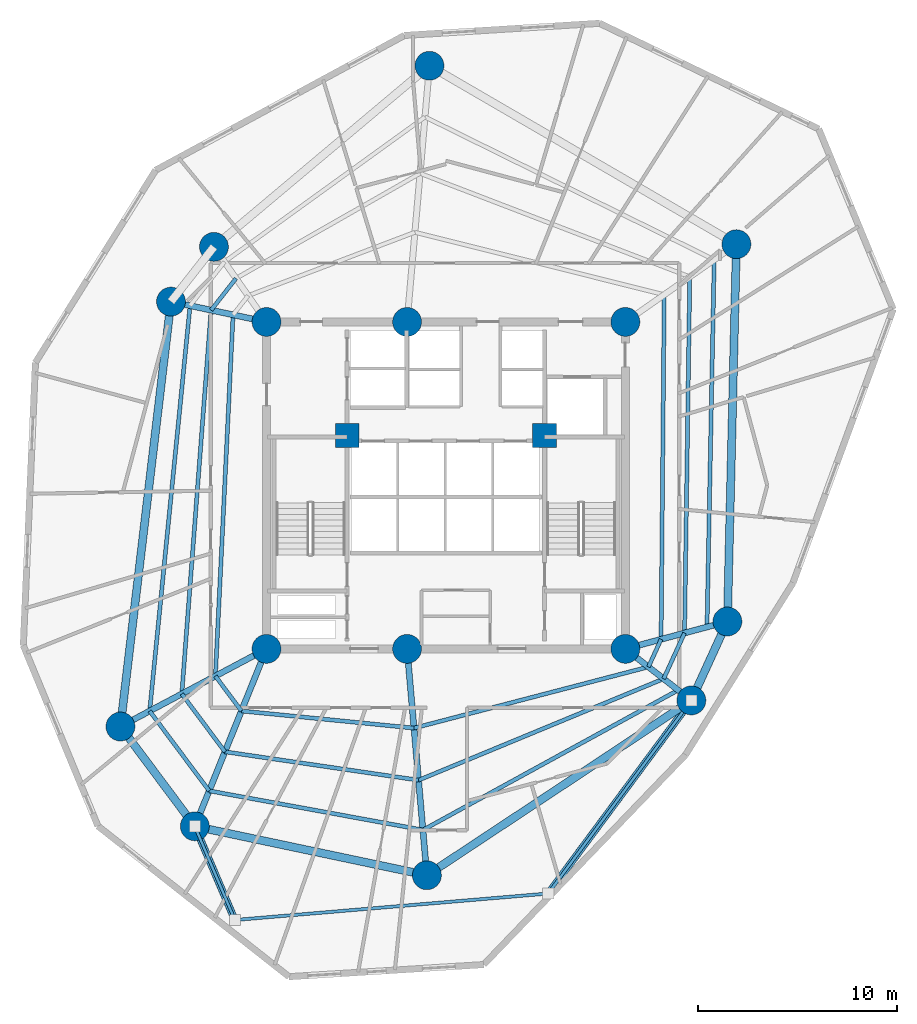
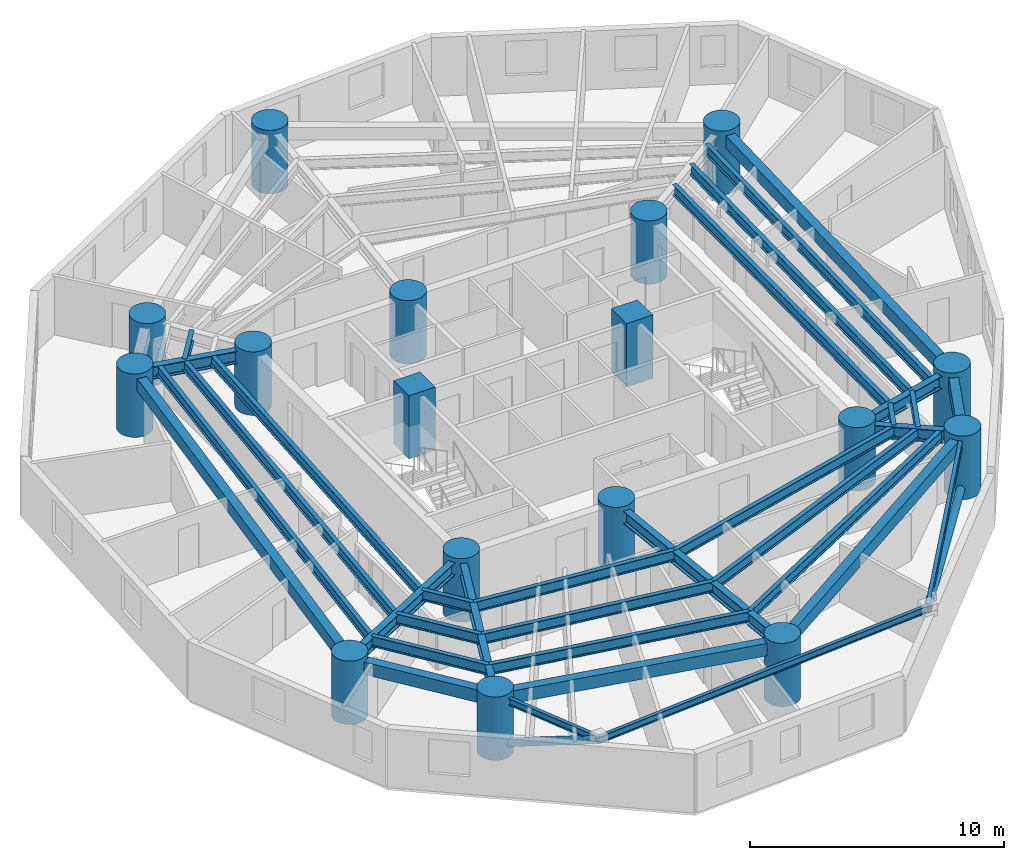
# One storey, part 1 of 8: 33 beams, 17 columns, 2 members.
"""IFC4 building model written with IfcOpenShell, lengths in metres."""

import ifcopenshell
import ifcopenshell.guid

model = None  # the IFC model being written
_history = None  # IfcOwnerHistory: only IFC2X3 demands one
_inside = {}  # id of a spatial element -> (the spatial element, [elements in it])
_under = {}  # id of a project, library or spatial element -> (it, [spatial elements below it])
_declared = {}  # id of a project -> (the project, [libraries it declares])
_typed = {}  # id of a type object -> (the type object, [elements of that type])
_made_of = {}  # id of a material, layer set ... -> (it, [elements and type objects made of it])


def new_model(schema):
    """Start an empty IFC model of exactly this schema.

    Asked for "IFC4X3", IfcOpenShell would pick the latest addendum, in which some entities
    have other attributes; the version numbers below select the first issue.
    IFC2X3 requires an IfcOwnerHistory on every rooted entity: one is made here for all.
    """
    global model, _history
    if schema == "IFC4X3":
        model = ifcopenshell.file(schema_version=(4, 3, 0, 0))
    else:
        model = ifcopenshell.file(schema=schema)
    _inside.clear()
    _under.clear()
    _declared.clear()
    _typed.clear()
    _made_of.clear()
    _history = None
    if model.schema == "IFC2X3":
        org = make("IfcOrganization", Name="unknown")
        user = make(
            "IfcPersonAndOrganization",
            ThePerson=make("IfcPerson", FamilyName="unknown"),
            TheOrganization=org,
        )
        app = make(
            "IfcApplication",
            ApplicationDeveloper=org,
            Version="unknown",
            ApplicationFullName="unknown",
            ApplicationIdentifier="unknown",
        )
        _history = make(
            "IfcOwnerHistory",
            OwningUser=user,
            OwningApplication=app,
            ChangeAction="ADDED",
            CreationDate=0,
        )
    return model


def make(cls, **values):
    """One entity of the class cls with the attributes given. An attribute that is None is left unset."""
    return model.create_entity(
        cls, **{name: value for name, value in values.items() if value is not None}
    )


def rooted(cls, **values):
    """An entity with a GlobalId (a new one), such as an element, a storey or a relation."""
    return make(cls, GlobalId=ifcopenshell.guid.new(), OwnerHistory=_history, **values)


def si_unit(unit_type, name, prefix=None):
    """IfcSIUnit, for example si_unit("LENGTHUNIT", "METRE", prefix="MILLI")."""
    return make("IfcSIUnit", UnitType=unit_type, Prefix=prefix, Name=name)


def assignment(units):
    """IfcUnitAssignment: the units of a project."""
    return None if units is None else make("IfcUnitAssignment", Units=units)


def point(xyz):
    """IfcCartesianPoint."""
    return None if xyz is None else make("IfcCartesianPoint", Coordinates=xyz)


def direction(xyz):
    """IfcDirection."""
    return None if xyz is None else make("IfcDirection", DirectionRatios=xyz)


def frame(location, z_axis=None, x_axis=None):
    """IfcAxis2Placement3D, a coordinate frame: its origin and axes. An axis left out is left unset."""
    return make(
        "IfcAxis2Placement3D",
        Location=point(location),
        Axis=direction(z_axis),
        RefDirection=direction(x_axis),
    )


def frame_2d(location, x_axis=None):
    """IfcAxis2Placement2D, a coordinate frame in the plane: its origin and x axis."""
    return make(
        "IfcAxis2Placement2D", Location=point(location), RefDirection=direction(x_axis)
    )


def origin():
    """The frame at (0, 0, 0) with its axes left unset."""
    return frame((0.0, 0.0, 0.0))


def origin_with_axes():
    """The frame at (0, 0, 0) with the z axis (0, 0, 1) and the x axis (1, 0, 0) written out."""
    return frame((0.0, 0.0, 0.0), z_axis=(0.0, 0.0, 1.0), x_axis=(1.0, 0.0, 0.0))


def origin_2d():
    """The frame at (0, 0) in the plane with its x axis left unset."""
    return frame_2d((0.0, 0.0))


def place(relative_to, where):
    """IfcLocalPlacement: puts the frame where relative to a parent placement (None: the world)."""
    return make(
        "IfcLocalPlacement", PlacementRelTo=relative_to, RelativePlacement=where
    )


def context(
    kind, dimensions, precision=None, world=None, true_north=None, identifier=None
):
    """IfcGeometricRepresentationContext, for example the 3D "Model" context."""
    return make(
        "IfcGeometricRepresentationContext",
        ContextIdentifier=identifier,
        ContextType=kind,
        CoordinateSpaceDimension=dimensions,
        Precision=precision,
        WorldCoordinateSystem=world,
        TrueNorth=true_north,
    )


def subcontext(parent, identifier, kind, view, scale=None):
    """IfcGeometricRepresentationSubContext, for example "Body" below "Model"."""
    return make(
        "IfcGeometricRepresentationSubContext",
        ContextIdentifier=identifier,
        ContextType=kind,
        ParentContext=parent,
        TargetScale=scale,
        TargetView=view,
    )


def project(units=None, contexts=None):
    """IfcProject with its units and contexts."""
    return rooted(
        "IfcProject",
        Name="project",
        RepresentationContexts=contexts,
        UnitsInContext=assignment(units),
    )


def spatial(cls, under=None, at=None, **own):
    """A site, building, storey or space (cls), placed at a placement, below another one or the project."""
    s = rooted(cls, ObjectPlacement=at, **own)
    if under is not None:
        _under.setdefault(under.id(), (under, []))[1].append(s)
    return s


def profile(cls, at=None, kind="AREA", **sizes):
    """A parametric profile (cls). Its sizes go by their IFC names, for example OverallWidth=200.0."""
    return make(cls, ProfileType=kind, Position=at, **sizes)


def rectangle(**sizes):
    """IfcRectangleProfileDef."""
    return profile("IfcRectangleProfileDef", **sizes)


def circle(**sizes):
    """IfcCircleProfileDef."""
    return profile("IfcCircleProfileDef", **sizes)


def hollow_circle(**sizes):
    """IfcCircleHollowProfileDef."""
    return profile("IfcCircleHollowProfileDef", **sizes)


def i_section(**sizes):
    """IfcIShapeProfileDef."""
    return profile("IfcIShapeProfileDef", **sizes)


def extrude(swept, where, along, depth):
    """IfcExtrudedAreaSolid: the profile swept, set in the frame where, extruded along a direction by depth."""
    return make(
        "IfcExtrudedAreaSolid",
        SweptArea=swept,
        Position=where,
        ExtrudedDirection=direction(along),
        Depth=depth,
    )


def shape(context_of_items, identifier, shape_type, items):
    """IfcShapeRepresentation: the items that make up one representation, for example the "Body"."""
    return make(
        "IfcShapeRepresentation",
        ContextOfItems=context_of_items,
        RepresentationIdentifier=identifier,
        RepresentationType=shape_type,
        Items=items,
    )


def source(mapping_origin, context_of_items, identifier, shape_type, items):
    """IfcRepresentationMap: a shape defined once, which mapped items show again and again."""
    return make(
        "IfcRepresentationMap",
        MappingOrigin=mapping_origin,
        MappedRepresentation=shape(context_of_items, identifier, shape_type, items),
    )


def transform(
    local_origin,
    x_axis=None,
    y_axis=None,
    z_axis=None,
    scale=None,
    scale2=None,
    scale3=None,
    uniform=True,
):
    """IfcCartesianTransformationOperator3D, or its non-uniform kind. x_axis, y_axis, z_axis: its Axis1, 2, 3."""
    if uniform:
        return make(
            "IfcCartesianTransformationOperator3D",
            Axis1=direction(x_axis),
            Axis2=direction(y_axis),
            LocalOrigin=point(local_origin),
            Scale=scale,
            Axis3=direction(z_axis),
        )
    return make(
        "IfcCartesianTransformationOperator3DnonUniform",
        Axis1=direction(x_axis),
        Axis2=direction(y_axis),
        LocalOrigin=point(local_origin),
        Scale=scale,
        Axis3=direction(z_axis),
        Scale2=scale2,
        Scale3=scale3,
    )


def mapped(mapping_source, mapping_target):
    """IfcMappedItem: shows the shape of a source again, moved by a transform."""
    return make(
        "IfcMappedItem", MappingSource=mapping_source, MappingTarget=mapping_target
    )


def material(Name=None, Category=None):
    """IfcMaterial."""
    return make("IfcMaterial", Name=Name, Category=Category)


def material_profile(
    of_material, cross_section, Name=None, Category=None, Priority=None
):
    """IfcMaterialProfile: a cross section and its material."""
    return make(
        "IfcMaterialProfile",
        Name=Name,
        Material=of_material,
        Profile=cross_section,
        Priority=Priority,
        Category=Category,
    )


def profile_set(profiles, Name=None, composite=None):
    """IfcMaterialProfileSet."""
    return make(
        "IfcMaterialProfileSet",
        Name=Name,
        MaterialProfiles=profiles,
        CompositeProfile=composite,
    )


def made_of(thing, what):
    """Note that an element or type object is made of a material, layer set ...; save() writes the relation."""
    if what is not None:
        _made_of.setdefault(what.id(), (what, []))[1].append(thing)
    return thing


def type_object(cls, material=None, **own):
    """A type object (cls), such as IfcWallType, which elements share."""
    return made_of(rooted(cls, **own), material)


def element(
    cls,
    number,
    at=None,
    inside=None,
    cuts=None,
    type_object=None,
    material=None,
    context=None,
    identifier="Body",
    shape_type=None,
    held_by="IfcProductDefinitionShape",
    body=None,
    shapes=None,
    **own,
):
    """One element of the class cls, such as IfcWall. Its Tag is "e" and its number.

    at: its placement. inside: the storey or other place that contains it. cuts: it is an
    opening in that element (IfcRelVoidsElement). A single representation is given by context,
    identifier, shape_type and body (its items); several are given by shapes. held_by: the class
    of the entity that holds the representations. save() writes the other relations.
    """
    e = rooted(cls, Tag="e%d" % number, ObjectPlacement=at, **own)
    if body is not None:
        shapes = [shape(context, identifier, shape_type, body)]
    if shapes is not None:
        e.Representation = make(held_by, Representations=shapes)
    if inside is not None:
        _inside.setdefault(inside.id(), (inside, []))[1].append(e)
    if cuts is not None:
        rooted(
            "IfcRelVoidsElement", RelatingBuildingElement=cuts, RelatedOpeningElement=e
        )
    if type_object is not None:
        _typed.setdefault(type_object.id(), (type_object, []))[1].append(e)
    return made_of(e, material)


def aggregate(whole, parts):
    """IfcRelAggregates: a whole, such as a stair, and the parts it consists of."""
    return rooted("IfcRelAggregates", RelatingObject=whole, RelatedObjects=parts)


def save(model, path):
    """Write the relations noted so far, then the file.

    IfcRelAggregates (storeys below a building ...), IfcRelContainedInSpatialStructure (elements
    in a storey), IfcRelDefinesByType, IfcRelAssociatesMaterial and IfcRelDeclares: one each for
    every whole, place, type object, material and project.
    """
    for whole, parts in _under.values():
        aggregate(whole, parts)
    for where, things in _inside.values():
        rooted(
            "IfcRelContainedInSpatialStructure",
            RelatedElements=things,
            RelatingStructure=where,
        )
    for kind, things in _typed.values():
        rooted("IfcRelDefinesByType", RelatedObjects=things, RelatingType=kind)
    for what, things in _made_of.values():
        rooted("IfcRelAssociatesMaterial", RelatedObjects=things, RelatingMaterial=what)
    for by, libraries in _declared.values():
        rooted("IfcRelDeclares", RelatingContext=by, RelatedDefinitions=libraries)
    model.write(path)


model = new_model("IFC4")

# Units and contexts
model_context = context("Model", 3, precision=1e-05, world=origin(), true_north=direction((0.0, 1.0)))
body_context = subcontext(model_context, "Body", "Model", "MODEL_VIEW")
ifc_project = project(units=[si_unit("LENGTHUNIT", "METRE"), si_unit("AREAUNIT", "SQUARE_METRE"), si_unit("VOLUMEUNIT", "CUBIC_METRE"), si_unit("PLANEANGLEUNIT", "RADIAN"), si_unit("MASSUNIT", "GRAM", prefix="KILO")], contexts=[model_context])

# Site, building, storey
site_placement = place(None, origin())
site = spatial("IfcSite", under=ifc_project, at=site_placement, CompositionType="ELEMENT")
building_placement = place(site_placement, origin())
building = spatial("IfcBuilding", under=site, at=building_placement, Name="Karkom Vertical University and Central Library", CompositionType="ELEMENT")
storey_placement = place(building_placement, frame((0.0, 0.0, 108.39990234375)))
storey = spatial("IfcBuildingStorey", under=building, at=storey_placement, Name="L29", CompositionType="ELEMENT", Elevation=108.39990234375)

# Columns
ifc_material_1 = material(Name="Concrete C50/60", Category="concrete")
ifc_material_profile_1 = material_profile(ifc_material_1, circle(Radius=0.72509765625, at=origin_2d()), Name="CFT-D1450")
ifc_profile_set_1 = profile_set([ifc_material_profile_1], Name="Concrete C50/60")
column_type_1 = type_object("IfcColumnType", Name="STR-COL-C-SC3", PredefinedType="COLUMN", material=ifc_profile_set_1)
shared_shape_1 = source(origin_with_axes(), body_context, "Body", "SweptSolid", [
    extrude(circle(Radius=0.72509765625, at=origin_2d()), origin(), (0.0, 0.0, 1.0), 3.050048828125),
])
for number, where, z_axis, x_axis, name in (
    (1, (19.5, 18.300048828125, 0.0), (0.0, 0.0, 1.0), (1.0, 0.0, 0.0), "Level 29 Spine Mega-Column SC-1"),
    (2, (26.550048828125, 18.300048828125, 0.0), (0.0, 0.0, 1.0), (1.0, 0.0, 0.0), "Level 29 Spine Mega-Column SC-2"),
    (3, (37.5, 18.300048828125, 0.0), (0.0, 0.0, 1.0), (1.0, 0.0, 0.0), "Level 29 Spine Mega-Column SC-3"),
    (4, (19.5, 34.699951171875, 0.0), (0.0, 0.0, 1.0), (1.0, 0.0, 0.0), "Level 29 Spine Mega-Column SC-4"),
    (5, (26.550048828125, 34.699951171875, 0.0), (0.0, 0.0, 1.0), (1.0, 0.0, 0.0), "Level 29 Spine Mega-Column SC-5"),
    (6, (37.5, 34.699951171875, 0.0), (0.0, 0.0, 1.0), (1.0, 0.0, 0.0), "Level 29 Spine Mega-Column SC-6"),
    (7, (42.618896484375, 19.672119140625, 0.0), (0.0, 0.0, 1.0), (1.0, 0.0, 0.0), "Level 29 Perimeter Mega-Column Z2-PC1"),
    (8, (43.070068359375, 38.60009765625, 0.0), (0.0, 0.0, 1.0), (1.0, 0.0, 0.0), "Level 29 Perimeter Mega-Column Z2-PC2"),
    (9, (27.674072265625, 47.551025390625, 0.0), (0.0, 0.0, 1.0), (1.0, 0.0, 0.0), "Level 29 Perimeter Mega-Column Z2-PC3"),
    (10, (16.862060546875, 38.468017578125, 0.0), (0.0, 0.0, 1.0), (1.0, 0.0, 0.0), "Level 29 Perimeter Mega-Column Z2-PC4"),
    (11, (14.70703125, 35.718994140625, 0.0), (0.0, 0.0, 1.0), (1.0, 0.0, 0.0), "Level 29 Perimeter Mega-Column Z2-PC5"),
    (12, (12.172119140625, 14.403076171875, 0.0), (0.0, 0.0, 1.0), (1.0, 0.0, 0.0), "Level 29 Perimeter Mega-Column Z2-PC6"),
    (13, (15.904052734375, 9.39892578125, 0.0), (0.0, 0.0, 1.0), (1.0, 0.0, 0.0), "Level 29 Perimeter Mega-Column Z2-PC7"),
    (14, (27.5439453125, 6.943115234375, 0.0), (0.0, 0.0, 1.0), (1.0, 0.0, 0.0), "Level 29 Perimeter Mega-Column Z2-PC8"),
    (15, (40.81005859375, 15.714111328125, 0.0), (0.0, 0.0, 1.0), (1.0, 0.0, 0.0), "Level 29 Perimeter Mega-Column Z2-PC9"),
):
    element("IfcColumn", number, at=place(storey_placement, frame(where, z_axis=z_axis, x_axis=x_axis)), inside=storey, type_object=column_type_1, Name=name, PredefinedType="COLUMN", context=body_context, shape_type="MappedRepresentation", body=[
        mapped(shared_shape_1, transform((0.0, 0.0, 0.0), scale=1.0)),
    ])
ifc_material_profile_2 = material_profile(ifc_material_1, rectangle(XDim=1.199951171875, YDim=1.199951171875, at=origin_2d()), Name="RC-1200x1200")
ifc_profile_set_2 = profile_set([ifc_material_profile_2], Name="Concrete C50/60")
column_type_2 = type_object("IfcColumnType", Name="STR-COL-C-CC1", PredefinedType="COLUMN", material=ifc_profile_set_2)
shared_shape_2 = source(origin_with_axes(), body_context, "Body", "SweptSolid", [
    extrude(rectangle(XDim=1.199951171875, YDim=1.199951171875, at=origin_2d()), origin(), (0.0, 0.0, 1.0), 3.050048828125),
])
for number, where, z_axis, x_axis, name in (
    (16, (23.550048828125, 29.0, 0.0), (0.0, 0.0, 1.0), (1.0, 0.0, 0.0), "Level 29 Core Node Column CC-1"),
    (17, (33.449951171875, 29.0, 0.0), (0.0, 0.0, 1.0), (1.0, 0.0, 0.0), "Level 29 Core Node Column CC-2"),
):
    element("IfcColumn", number, at=place(storey_placement, frame(where, z_axis=z_axis, x_axis=x_axis)), inside=storey, type_object=column_type_2, Name=name, PredefinedType="COLUMN", context=body_context, shape_type="MappedRepresentation", body=[
        mapped(shared_shape_2, transform((0.0, 0.0, 0.0), scale=1.0)),
    ])

# Beams
ifc_material_2 = material(Name="Precast concrete C45/55", Category="concrete")
ifc_material_profile_3 = material_profile(ifc_material_2, rectangle(XDim=0.39990234375, YDim=0.60009765625, at=origin_2d()), Name="SPB-400x600")
ifc_profile_set_3 = profile_set([ifc_material_profile_3], Name="Precast concrete C45/55")
beam_type_1 = type_object("IfcBeamType", Name="STR-BM-SP-1", PredefinedType="SPANDREL", material=ifc_profile_set_3)
shared_shape_3 = source(origin_with_axes(), body_context, "Body", "SweptSolid", [
    extrude(rectangle(XDim=0.39990234375, YDim=0.60009765625, at=origin_2d()), origin(), (0.0, 0.0, 1.0), 18.933349609375),
])
beam_1_placement = place(storey_placement, frame((42.618896484375, 19.672119140625, 2.525146484375), z_axis=(0.02382947333, 0.999716037783, 0.0), x_axis=(-0.999716037783, 0.02382947333, 0.0)))
element("IfcBeam", 18, at=beam_1_placement, inside=storey, type_object=beam_type_1, Name="Level 29 Perimeter Spandrel Beam 01", PredefinedType="SPANDREL", context=body_context, shape_type="MappedRepresentation", body=[
    mapped(shared_shape_3, transform((0.0, 0.0, 0.0), scale=1.0)),
])
shared_shape_4 = source(origin_with_axes(), body_context, "Body", "SweptSolid", [
    extrude(rectangle(XDim=0.39990234375, YDim=0.60009765625, at=origin_2d()), origin(), (0.0, 0.0, 1.0), 21.466064453125),
])
beam_2_placement = place(storey_placement, frame((14.70703125, 35.718994140625, 2.525146484375), z_axis=(-0.118088996795, -0.993003015522, 0.0), x_axis=(0.993003015522, -0.118088996795, 0.0)))
element("IfcBeam", 19, at=beam_2_placement, inside=storey, type_object=beam_type_1, Name="Level 29 Perimeter Spandrel Beam 05", PredefinedType="SPANDREL", context=body_context, shape_type="MappedRepresentation", body=[
    mapped(shared_shape_4, transform((0.0, 0.0, 0.0), scale=1.0)),
])
shared_shape_5 = source(origin_with_axes(), body_context, "Body", "SweptSolid", [
    extrude(rectangle(XDim=0.39990234375, YDim=0.60009765625, at=origin_2d()), origin(), (0.0, 0.0, 1.0), 6.242431640625),
])
beam_3_placement = place(storey_placement, frame((12.172119140625, 14.403076171875, 2.525146484375), z_axis=(0.59782643552, -0.801625569074, 0.0), x_axis=(0.801625569074, 0.59782643552, 0.0)))
element("IfcBeam", 20, at=beam_3_placement, inside=storey, type_object=beam_type_1, Name="Level 29 Perimeter Spandrel Beam 06", PredefinedType="SPANDREL", context=body_context, shape_type="MappedRepresentation", body=[
    mapped(shared_shape_5, transform((0.0, 0.0, 0.0), scale=1.0)),
])
shared_shape_6 = source(origin_with_axes(), body_context, "Body", "SweptSolid", [
    extrude(rectangle(XDim=0.39990234375, YDim=0.60009765625, at=origin_2d()), origin(), (0.0, 0.0, 1.0), 11.896240234375),
])
beam_4_placement = place(storey_placement, frame((15.904052734375, 9.39892578125, 2.525146484375), z_axis=(0.978459762135, -0.206437627101, 0.0), x_axis=(0.206437627101, 0.978459762135, 0.0)))
element("IfcBeam", 21, at=beam_4_placement, inside=storey, type_object=beam_type_1, Name="Level 29 Perimeter Spandrel Beam 07", PredefinedType="SPANDREL", context=body_context, shape_type="MappedRepresentation", body=[
    mapped(shared_shape_6, transform((0.0, 0.0, 0.0), scale=1.0)),
])
shared_shape_7 = source(origin_with_axes(), body_context, "Body", "SweptSolid", [
    extrude(rectangle(XDim=0.39990234375, YDim=0.60009765625, at=origin_2d()), origin(), (0.0, 0.0, 1.0), 15.903564453125),
])
beam_5_placement = place(storey_placement, frame((27.5439453125, 6.943115234375, 2.525146484375), z_axis=(0.834165069331, 0.551514856652, 0.0), x_axis=(-0.551514856652, 0.834165069331, 0.0)))
element("IfcBeam", 22, at=beam_5_placement, inside=storey, type_object=beam_type_1, Name="Level 29 Perimeter Spandrel Beam 08", PredefinedType="SPANDREL", context=body_context, shape_type="MappedRepresentation", body=[
    mapped(shared_shape_7, transform((0.0, 0.0, 0.0), scale=1.0)),
])
shared_shape_8 = source(origin_with_axes(), body_context, "Body", "SweptSolid", [
    extrude(rectangle(XDim=0.39990234375, YDim=0.60009765625, at=origin_2d()), origin(), (0.0, 0.0, 1.0), 4.351806640625),
])
beam_6_placement = place(storey_placement, frame((40.81005859375, 15.714111328125, 2.525146484375), z_axis=(0.415657668422, 0.909521139217, 0.0), x_axis=(-0.909521139217, 0.415657668422, 0.0)))
element("IfcBeam", 23, at=beam_6_placement, inside=storey, type_object=beam_type_1, Name="Level 29 Perimeter Spandrel Beam 09", PredefinedType="SPANDREL", context=body_context, shape_type="MappedRepresentation", body=[
    mapped(shared_shape_8, transform((0.0, 0.0, 0.0), scale=1.0)),
])
ifc_material_3 = material(Name="Steel S355", Category="steel")
ifc_material_profile_4 = material_profile(ifc_material_3, i_section(OverallWidth=0.199951171875, OverallDepth=0.5, WebThickness=0.01025390625, FlangeThickness=0.01611328125, FilletRadius=0.02099609375, at=origin_2d()), Name="IPE 500")
ifc_profile_set_4 = profile_set([ifc_material_profile_4], Name="Steel S355")
beam_type_2 = type_object("IfcBeamType", Name="STR-BM-SB-IPE500", PredefinedType="BEAM", material=ifc_profile_set_4)
shared_shape_9 = source(origin_with_axes(), body_context, "Body", "SweptSolid", [
    extrude(i_section(OverallWidth=0.199951171875, OverallDepth=0.5, WebThickness=0.01025390625, FlangeThickness=0.01611328125, FilletRadius=0.02099609375, at=origin_2d()), origin(), (0.0, 0.0, 1.0), 17.285400390625),
])
beam_7_placement = place(storey_placement, frame((39.29150390625, 18.7802734375, 2.5751953125), z_axis=(0.009138294648, 0.999958244914, 0.0), x_axis=(-0.999958244914, 0.009138294648, 0.0)))
element("IfcBeam", 24, at=beam_7_placement, inside=storey, type_object=beam_type_2, Name="Level 29 Secondary Composite Floor Beam 1.01", PredefinedType="BEAM", context=body_context, shape_type="MappedRepresentation", body=[
    mapped(shared_shape_9, transform((0.0, 0.0, 0.0), scale=1.0)),
])
shared_shape_10 = source(origin_with_axes(), body_context, "Body", "SweptSolid", [
    extrude(i_section(OverallWidth=0.199951171875, OverallDepth=0.5, WebThickness=0.01025390625, FlangeThickness=0.01611328125, FilletRadius=0.02099609375, at=origin_2d()), origin(), (0.0, 0.0, 1.0), 18.142333984375),
])
beam_8_placement = place(storey_placement, frame((17.822509765625, 35.056640625, 2.5751953125), z_axis=(-0.048902644774, -0.998803549921, 0.0), x_axis=(0.998803549921, -0.048902644774, 0.0)))
element("IfcBeam", 25, at=beam_8_placement, inside=storey, type_object=beam_type_2, Name="Level 29 Secondary Composite Floor Beam 1.05", PredefinedType="BEAM", context=body_context, shape_type="MappedRepresentation", body=[
    mapped(shared_shape_10, transform((0.0, 0.0, 0.0), scale=1.0)),
])
shared_shape_11 = source(origin_with_axes(), body_context, "Body", "SweptSolid", [
    extrude(i_section(OverallWidth=0.199951171875, OverallDepth=0.5, WebThickness=0.01025390625, FlangeThickness=0.01611328125, FilletRadius=0.02099609375, at=origin_2d()), origin(), (0.0, 0.0, 1.0), 2.1845703125),
])
beam_9_placement = place(storey_placement, frame((16.935302734375, 16.93603515625, 2.5751953125), z_axis=(0.597870130664, -0.801592980795, 0.0), x_axis=(0.801592980795, 0.597870130664, 0.0)))
element("IfcBeam", 26, at=beam_9_placement, inside=storey, type_object=beam_type_2, Name="Level 29 Secondary Composite Floor Beam 1.06", PredefinedType="BEAM", context=body_context, shape_type="MappedRepresentation", body=[
    mapped(shared_shape_11, transform((0.0, 0.0, 0.0), scale=1.0)),
])
shared_shape_12 = source(origin_with_axes(), body_context, "Body", "SweptSolid", [
    extrude(i_section(OverallWidth=0.199951171875, OverallDepth=0.5, WebThickness=0.01025390625, FlangeThickness=0.01611328125, FilletRadius=0.02099609375, at=origin_2d()), origin(), (0.0, 0.0, 1.0), 8.698974609375),
])
beam_10_placement = place(storey_placement, frame((18.241455078125, 15.184814453125, 2.5751953125), z_axis=(0.995105588045, -0.098817349903, 0.0), x_axis=(0.098817349903, 0.995105588045, 0.0)))
element("IfcBeam", 27, at=beam_10_placement, inside=storey, type_object=beam_type_2, Name="Level 29 Secondary Composite Floor Beam 1.07", PredefinedType="BEAM", context=body_context, shape_type="MappedRepresentation", body=[
    mapped(shared_shape_12, transform((0.0, 0.0, 0.0), scale=1.0)),
])
shared_shape_13 = source(origin_with_axes(), body_context, "Body", "SweptSolid", [
    extrude(i_section(OverallWidth=0.199951171875, OverallDepth=0.5, WebThickness=0.01025390625, FlangeThickness=0.01611328125, FilletRadius=0.02099609375, at=origin_2d()), origin(), (0.0, 0.0, 1.0), 12.154541015625),
])
beam_11_placement = place(storey_placement, frame((26.89794921875, 14.3251953125, 2.5751953125), z_axis=(0.967579719768, 0.252565805077, 0.0), x_axis=(-0.252565805077, 0.967579719768, 0.0)))
element("IfcBeam", 28, at=beam_11_placement, inside=storey, type_object=beam_type_2, Name="Level 29 Secondary Composite Floor Beam 1.08", PredefinedType="BEAM", context=body_context, shape_type="MappedRepresentation", body=[
    mapped(shared_shape_13, transform((0.0, 0.0, 0.0), scale=1.0)),
])
shared_shape_14 = source(origin_with_axes(), body_context, "Body", "SweptSolid", [
    extrude(i_section(OverallWidth=0.199951171875, OverallDepth=0.5, WebThickness=0.01025390625, FlangeThickness=0.01611328125, FilletRadius=0.02099609375, at=origin_2d()), origin(), (0.0, 0.0, 1.0), 1.52294921875),
])
beam_12_placement = place(storey_placement, frame((38.658447265625, 17.39501953125, 2.5751953125), z_axis=(0.415649898107, 0.909524690266, 0.0), x_axis=(-0.909524690266, 0.415649898107, 0.0)))
element("IfcBeam", 29, at=beam_12_placement, inside=storey, type_object=beam_type_2, Name="Level 29 Secondary Composite Floor Beam 1.09", PredefinedType="BEAM", context=body_context, shape_type="MappedRepresentation", body=[
    mapped(shared_shape_14, transform((0.0, 0.0, 0.0), scale=1.0)),
])
shared_shape_15 = source(origin_with_axes(), body_context, "Body", "SweptSolid", [
    extrude(i_section(OverallWidth=0.199951171875, OverallDepth=0.5, WebThickness=0.01025390625, FlangeThickness=0.01611328125, FilletRadius=0.02099609375, at=origin_2d()), origin(), (0.0, 0.0, 1.0), 17.8681640625),
])
beam_13_placement = place(storey_placement, frame((40.468994140625, 19.095703125, 2.5751953125), z_axis=(0.014647239676, 0.999892723431, 0.0), x_axis=(-0.999892723431, 0.014647239676, 0.0)))
element("IfcBeam", 30, at=beam_13_placement, inside=storey, type_object=beam_type_2, Name="Level 29 Secondary Composite Floor Beam 2.01", PredefinedType="BEAM", context=body_context, shape_type="MappedRepresentation", body=[
    mapped(shared_shape_15, transform((0.0, 0.0, 0.0), scale=1.0)),
])
shared_shape_16 = source(origin_with_axes(), body_context, "Body", "SweptSolid", [
    extrude(i_section(OverallWidth=0.199951171875, OverallDepth=0.5, WebThickness=0.01025390625, FlangeThickness=0.01611328125, FilletRadius=0.02099609375, at=origin_2d()), origin(), (0.0, 0.0, 1.0), 2.02587890625),
])
beam_14_placement = place(storey_placement, frame((17.969970703125, 36.885498046875, 2.5751953125), z_axis=(-0.616889733535, -0.787049589708, 0.0), x_axis=(0.787049589708, -0.616889733535, 0.0)))
element("IfcBeam", 31, at=beam_14_placement, inside=storey, type_object=beam_type_2, Name="Level 29 Secondary Composite Floor Beam 2.04", PredefinedType="BEAM", context=body_context, shape_type="MappedRepresentation", body=[
    mapped(shared_shape_16, transform((0.0, 0.0, 0.0), scale=1.0)),
])
shared_shape_17 = source(origin_with_axes(), body_context, "Body", "SweptSolid", [
    extrude(i_section(OverallWidth=0.199951171875, OverallDepth=0.5, WebThickness=0.01025390625, FlangeThickness=0.01611328125, FilletRadius=0.02099609375, at=origin_2d()), origin(), (0.0, 0.0, 1.0), 19.307373046875),
])
beam_15_placement = place(storey_placement, frame((16.72021484375, 35.291015625, 2.5751953125), z_axis=(-0.07616078645, -0.997095549387, 0.0), x_axis=(0.997095549387, -0.07616078645, 0.0)))
element("IfcBeam", 32, at=beam_15_placement, inside=storey, type_object=beam_type_2, Name="Level 29 Secondary Composite Floor Beam 2.05", PredefinedType="BEAM", context=body_context, shape_type="MappedRepresentation", body=[
    mapped(shared_shape_17, transform((0.0, 0.0, 0.0), scale=1.0)),
])
shared_shape_18 = source(origin_with_axes(), body_context, "Body", "SweptSolid", [
    extrude(i_section(OverallWidth=0.199951171875, OverallDepth=0.5, WebThickness=0.01025390625, FlangeThickness=0.01611328125, FilletRadius=0.02099609375, at=origin_2d()), origin(), (0.0, 0.0, 1.0), 3.62060546875),
])
beam_16_placement = place(storey_placement, frame((15.249755859375, 16.039794921875, 2.5751953125), z_axis=(0.59784003707, -0.801615425298, 0.0), x_axis=(0.801615425298, 0.59784003707, 0.0)))
element("IfcBeam", 33, at=beam_16_placement, inside=storey, type_object=beam_type_2, Name="Level 29 Secondary Composite Floor Beam 2.06", PredefinedType="BEAM", context=body_context, shape_type="MappedRepresentation", body=[
    mapped(shared_shape_18, transform((0.0, 0.0, 0.0), scale=1.0)),
])
shared_shape_19 = source(origin_with_axes(), body_context, "Body", "SweptSolid", [
    extrude(i_section(OverallWidth=0.199951171875, OverallDepth=0.5, WebThickness=0.01025390625, FlangeThickness=0.01611328125, FilletRadius=0.02099609375, at=origin_2d()), origin(), (0.0, 0.0, 1.0), 9.816162109375),
])
beam_17_placement = place(storey_placement, frame((17.414306640625, 13.137451171875, 2.5751953125), z_axis=(0.989413295367, -0.145125225069, 0.0), x_axis=(0.145125225069, 0.989413295367, 0.0)))
element("IfcBeam", 34, at=beam_17_placement, inside=storey, type_object=beam_type_2, Name="Level 29 Secondary Composite Floor Beam 2.07", PredefinedType="BEAM", context=body_context, shape_type="MappedRepresentation", body=[
    mapped(shared_shape_19, transform((0.0, 0.0, 0.0), scale=1.0)),
])
shared_shape_20 = source(origin_with_axes(), body_context, "Body", "SweptSolid", [
    extrude(i_section(OverallWidth=0.199951171875, OverallDepth=0.5, WebThickness=0.01025390625, FlangeThickness=0.01611328125, FilletRadius=0.02099609375, at=origin_2d()), origin(), (0.0, 0.0, 1.0), 13.304443359375),
])
beam_18_placement = place(storey_placement, frame((27.12646484375, 11.712890625, 2.5751953125), z_axis=(0.924011243398, 0.382365299255, 0.0), x_axis=(-0.382365299255, 0.924011243398, 0.0)))
element("IfcBeam", 35, at=beam_18_placement, inside=storey, type_object=beam_type_2, Name="Level 29 Secondary Composite Floor Beam 2.08", PredefinedType="BEAM", context=body_context, shape_type="MappedRepresentation", body=[
    mapped(shared_shape_20, transform((0.0, 0.0, 0.0), scale=1.0)),
])
shared_shape_21 = source(origin_with_axes(), body_context, "Body", "SweptSolid", [
    extrude(i_section(OverallWidth=0.199951171875, OverallDepth=0.5, WebThickness=0.01025390625, FlangeThickness=0.01611328125, FilletRadius=0.02099609375, at=origin_2d()), origin(), (0.0, 0.0, 1.0), 2.52392578125),
])
beam_19_placement = place(storey_placement, frame((39.419921875, 16.800048828125, 2.5751953125), z_axis=(0.415638602127, 0.909529852408, 0.0), x_axis=(-0.909529852408, 0.415638602127, 0.0)))
element("IfcBeam", 36, at=beam_19_placement, inside=storey, type_object=beam_type_2, Name="Level 29 Secondary Composite Floor Beam 2.09", PredefinedType="BEAM", context=body_context, shape_type="MappedRepresentation", body=[
    mapped(shared_shape_21, transform((0.0, 0.0, 0.0), scale=1.0)),
])
shared_shape_22 = source(origin_with_axes(), body_context, "Body", "SweptSolid", [
    extrude(i_section(OverallWidth=0.199951171875, OverallDepth=0.5, WebThickness=0.01025390625, FlangeThickness=0.01611328125, FilletRadius=0.02099609375, at=origin_2d()), origin(), (0.0, 0.0, 1.0), 18.42578125),
])
beam_20_placement = place(storey_placement, frame((41.59521484375, 19.397705078125, 2.5751953125), z_axis=(0.019583298818, 0.999808228816, 0.0), x_axis=(-0.999808228816, 0.019583298818, 0.0)))
element("IfcBeam", 37, at=beam_20_placement, inside=storey, type_object=beam_type_2, Name="Level 29 Secondary Composite Floor Beam 3.01", PredefinedType="BEAM", context=body_context, shape_type="MappedRepresentation", body=[
    mapped(shared_shape_22, transform((0.0, 0.0, 0.0), scale=1.0)),
])
shared_shape_23 = source(origin_with_axes(), body_context, "Body", "SweptSolid", [
    extrude(i_section(OverallWidth=0.199951171875, OverallDepth=0.5, WebThickness=0.01025390625, FlangeThickness=0.01611328125, FilletRadius=0.02099609375, at=origin_2d()), origin(), (0.0, 0.0, 1.0), 20.43359375),
])
beam_21_placement = place(storey_placement, frame((15.66552734375, 35.51513671875, 2.5751953125), z_axis=(-0.099239913611, -0.995063535432, 0.0), x_axis=(0.995063535432, -0.099239913611, 0.0)))
element("IfcBeam", 38, at=beam_21_placement, inside=storey, type_object=beam_type_2, Name="Level 29 Secondary Composite Floor Beam 3.05", PredefinedType="BEAM", context=body_context, shape_type="MappedRepresentation", body=[
    mapped(shared_shape_23, transform((0.0, 0.0, 0.0), scale=1.0)),
])
shared_shape_24 = source(origin_with_axes(), body_context, "Body", "SweptSolid", [
    extrude(i_section(OverallWidth=0.199951171875, OverallDepth=0.5, WebThickness=0.01025390625, FlangeThickness=0.01611328125, FilletRadius=0.02099609375, at=origin_2d()), origin(), (0.0, 0.0, 1.0), 4.993896484375),
])
beam_22_placement = place(storey_placement, frame((13.6376953125, 15.182373046875, 2.5751953125), z_axis=(0.597846775537, -0.801610399745, 0.0), x_axis=(0.801610399745, 0.597846775537, 0.0)))
element("IfcBeam", 39, at=beam_22_placement, inside=storey, type_object=beam_type_2, Name="Level 29 Secondary Composite Floor Beam 3.06", PredefinedType="BEAM", context=body_context, shape_type="MappedRepresentation", body=[
    mapped(shared_shape_24, transform((0.0, 0.0, 0.0), scale=1.0)),
])
shared_shape_25 = source(origin_with_axes(), body_context, "Body", "SweptSolid", [
    extrude(i_section(OverallWidth=0.199951171875, OverallDepth=0.5, WebThickness=0.01025390625, FlangeThickness=0.01611328125, FilletRadius=0.02099609375, at=origin_2d()), origin(), (0.0, 0.0, 1.0), 10.900390625),
])
beam_23_placement = place(storey_placement, frame((16.623291015625, 11.17919921875, 2.5751953125), z_axis=(0.98362026014, -0.180253110495, 0.0), x_axis=(0.180253110495, 0.98362026014, 0.0)))
element("IfcBeam", 40, at=beam_23_placement, inside=storey, type_object=beam_type_2, Name="Level 29 Secondary Composite Floor Beam 3.07", PredefinedType="BEAM", context=body_context, shape_type="MappedRepresentation", body=[
    mapped(shared_shape_25, transform((0.0, 0.0, 0.0), scale=1.0)),
])
shared_shape_26 = source(origin_with_axes(), body_context, "Body", "SweptSolid", [
    extrude(i_section(OverallWidth=0.199951171875, OverallDepth=0.5, WebThickness=0.01025390625, FlangeThickness=0.01611328125, FilletRadius=0.02099609375, at=origin_2d()), origin(), (0.0, 0.0, 1.0), 14.599609375),
])
beam_24_placement = place(storey_placement, frame((27.34521484375, 9.21435546875, 2.5751953125), z_axis=(0.876928143127, 0.480621505752, 0.0), x_axis=(-0.480621505752, 0.876928143127, 0.0)))
element("IfcBeam", 41, at=beam_24_placement, inside=storey, type_object=beam_type_2, Name="Level 29 Secondary Composite Floor Beam 3.08", PredefinedType="BEAM", context=body_context, shape_type="MappedRepresentation", body=[
    mapped(shared_shape_26, transform((0.0, 0.0, 0.0), scale=1.0)),
])
ifc_material_profile_5 = material_profile(ifc_material_3, i_section(OverallWidth=0.300048828125, OverallDepth=0.60009765625, WebThickness=0.015380859375, FlangeThickness=0.030029296875, FilletRadius=0.027099609375, at=origin_2d()), Name="HE 600 B")
ifc_profile_set_5 = profile_set([ifc_material_profile_5], Name="Steel S355")
beam_type_3 = type_object("IfcBeamType", Name="STR-BM-SB-HE600", PredefinedType="USERDEFINED", material=ifc_profile_set_5)
shared_shape_27 = source(origin_with_axes(), body_context, "Body", "SweptSolid", [
    extrude(i_section(OverallWidth=0.300048828125, OverallDepth=0.60009765625, WebThickness=0.015380859375, FlangeThickness=0.030029296875, FilletRadius=0.027099609375, at=origin_2d()), origin(), (0.0, 0.0, 1.0), 5.299560546875),
])
beam_25_placement = place(storey_placement, frame((37.5, 18.300048828125, 2.525146484375), z_axis=(0.965903833688, 0.258901108663, 0.0), x_axis=(-0.258901108663, 0.965903833688, 0.0)))
element("IfcBeam", 42, at=beam_25_placement, inside=storey, type_object=beam_type_3, Name="Level 29 Radial Frame Girder 01", ObjectType="GIRDER", PredefinedType="USERDEFINED", context=body_context, shape_type="MappedRepresentation", body=[
    mapped(shared_shape_27, transform((0.0, 0.0, 0.0), scale=1.0)),
])
shared_shape_28 = source(origin_with_axes(), body_context, "Body", "SweptSolid", [
    extrude(i_section(OverallWidth=0.300048828125, OverallDepth=0.60009765625, WebThickness=0.015380859375, FlangeThickness=0.030029296875, FilletRadius=0.027099609375, at=origin_2d()), origin(), (0.0, 0.0, 1.0), 4.900146484375),
])
beam_26_placement = place(storey_placement, frame((19.5, 34.699951171875, 2.525146484375), z_axis=(-0.978136559131, 0.207963630695, 0.0), x_axis=(-0.207963630695, -0.978136559131, 0.0)))
element("IfcBeam", 43, at=beam_26_placement, inside=storey, type_object=beam_type_3, Name="Level 29 Radial Frame Girder 05", ObjectType="GIRDER", PredefinedType="USERDEFINED", context=body_context, shape_type="MappedRepresentation", body=[
    mapped(shared_shape_28, transform((0.0, 0.0, 0.0), scale=1.0)),
])
shared_shape_29 = source(origin_with_axes(), body_context, "Body", "SweptSolid", [
    extrude(i_section(OverallWidth=0.300048828125, OverallDepth=0.60009765625, WebThickness=0.015380859375, FlangeThickness=0.030029296875, FilletRadius=0.027099609375, at=origin_2d()), origin(), (0.0, 0.0, 1.0), 8.299560546875),
])
beam_27_placement = place(storey_placement, frame((19.5, 18.300048828125, 2.525146484375), z_axis=(-0.882914163564, -0.469534428746, 0.0), x_axis=(0.469534428746, -0.882914163564, 0.0)))
element("IfcBeam", 44, at=beam_27_placement, inside=storey, type_object=beam_type_3, Name="Level 29 Radial Frame Girder 06", ObjectType="GIRDER", PredefinedType="USERDEFINED", context=body_context, shape_type="MappedRepresentation", body=[
    mapped(shared_shape_29, transform((0.0, 0.0, 0.0), scale=1.0)),
])
shared_shape_30 = source(origin_with_axes(), body_context, "Body", "SweptSolid", [
    extrude(i_section(OverallWidth=0.300048828125, OverallDepth=0.60009765625, WebThickness=0.015380859375, FlangeThickness=0.030029296875, FilletRadius=0.027099609375, at=origin_2d()), origin(), (0.0, 0.0, 1.0), 9.60009765625),
])
beam_28_placement = place(storey_placement, frame((19.5, 18.300048828125, 2.525146484375), z_axis=(-0.374576157034, -0.927196151082, 0.0), x_axis=(0.927196151082, -0.374576157034, 0.0)))
element("IfcBeam", 45, at=beam_28_placement, inside=storey, type_object=beam_type_3, Name="Level 29 Radial Frame Girder 07", ObjectType="GIRDER", PredefinedType="USERDEFINED", context=body_context, shape_type="MappedRepresentation", body=[
    mapped(shared_shape_30, transform((0.0, 0.0, 0.0), scale=1.0)),
])
shared_shape_31 = source(origin_with_axes(), body_context, "Body", "SweptSolid", [
    extrude(i_section(OverallWidth=0.300048828125, OverallDepth=0.60009765625, WebThickness=0.015380859375, FlangeThickness=0.030029296875, FilletRadius=0.027099609375, at=origin_2d()), origin(), (0.0, 0.0, 1.0), 11.400390625),
])
beam_29_placement = place(storey_placement, frame((26.550048828125, 18.300048828125, 2.525146484375), z_axis=(0.087181295702, -0.996192462168, 0.0), x_axis=(0.996192462168, 0.087181295702, 0.0)))
element("IfcBeam", 46, at=beam_29_placement, inside=storey, type_object=beam_type_3, Name="Level 29 Radial Frame Girder 08", ObjectType="GIRDER", PredefinedType="USERDEFINED", context=body_context, shape_type="MappedRepresentation", body=[
    mapped(shared_shape_31, transform((0.0, 0.0, 0.0), scale=1.0)),
])
shared_shape_32 = source(origin_with_axes(), body_context, "Body", "SweptSolid", [
    extrude(i_section(OverallWidth=0.300048828125, OverallDepth=0.60009765625, WebThickness=0.015380859375, FlangeThickness=0.030029296875, FilletRadius=0.027099609375, at=origin_2d()), origin(), (0.0, 0.0, 1.0), 4.200439453125),
])
beam_30_placement = place(storey_placement, frame((37.5, 18.300048828125, 2.525146484375), z_axis=(0.788029660796, -0.615637274461, 0.0), x_axis=(0.615637274461, 0.788029660796, 0.0)))
element("IfcBeam", 47, at=beam_30_placement, inside=storey, type_object=beam_type_3, Name="Level 29 Radial Frame Girder 09", ObjectType="GIRDER", PredefinedType="USERDEFINED", context=body_context, shape_type="MappedRepresentation", body=[
    mapped(shared_shape_32, transform((0.0, 0.0, 0.0), scale=1.0)),
])
ifc_material_profile_6 = material_profile(ifc_material_3, i_section(OverallWidth=0.159912109375, OverallDepth=0.330078125, WebThickness=0.007568359375, FlangeThickness=0.011474609375, FilletRadius=0.01806640625, at=origin_2d()), Name="IPE 330")
ifc_profile_set_6 = profile_set([ifc_material_profile_6], Name="Steel S355")
beam_type_4 = type_object("IfcBeamType", Name="STR-BM-SB-IPE330", PredefinedType="BEAM", material=ifc_profile_set_6)
shared_shape_33 = source(origin_with_axes(), body_context, "Body", "SweptSolid", [
    extrude(i_section(OverallWidth=0.159912109375, OverallDepth=0.330078125, WebThickness=0.007568359375, FlangeThickness=0.011474609375, FilletRadius=0.01806640625, at=origin_2d()), origin(), (0.0, 0.0, 1.0), 5.110107421875),
])
beam_31_placement = place(storey_placement, frame((15.904052734375, 9.39892578125, 2.66015625), z_axis=(0.393002304823, -0.919537486133, 0.0), x_axis=(0.919537486133, 0.393002304823, 0.0)))
element("IfcBeam", 48, at=beam_31_placement, inside=storey, type_object=beam_type_4, Name="Level 29 Sky Garden Outrigger Support Beam 1", PredefinedType="BEAM", context=body_context, shape_type="MappedRepresentation", body=[
    mapped(shared_shape_33, transform((0.0, 0.0, 0.0), scale=1.0)),
])

# Member
ifc_material_profile_7 = material_profile(ifc_material_3, hollow_circle(Radius=0.177734375, WallThickness=0.01611328125, at=origin_2d()), Name="CHS 355.6x16")
ifc_profile_set_7 = profile_set([ifc_material_profile_7], Name="Steel S355")
member_type = type_object("IfcMemberType", Name="STR-MEM-BR-3", PredefinedType="BRACE", material=ifc_profile_set_7)
shared_shape_34 = source(origin_with_axes(), body_context, "Body", "SweptSolid", [
    extrude(hollow_circle(Radius=0.177734375, WallThickness=0.01611328125, at=origin_2d()), origin(), (0.0, 0.0, 1.0), 5.60791015625),
])
member_1_placement = place(storey_placement, frame((15.904052734375, 9.39892578125, 0.35009765625), z_axis=(0.358111606628, -0.837901056744, 0.411919769258), x_axis=(0.919537486133, 0.393002304823, 0.0)))
element("IfcMember", 49, at=member_1_placement, inside=storey, type_object=member_type, Name="Level 29 Sky Garden Knee Strut Brace 1", PredefinedType="BRACE", context=body_context, shape_type="MappedRepresentation", body=[
    mapped(shared_shape_34, transform((0.0, 0.0, 0.0), scale=1.0)),
])

# Beam
shared_shape_35 = source(origin_with_axes(), body_context, "Body", "SweptSolid", [
    extrude(i_section(OverallWidth=0.159912109375, OverallDepth=0.330078125, WebThickness=0.007568359375, FlangeThickness=0.011474609375, FilletRadius=0.01806640625, at=origin_2d()), origin(), (0.0, 0.0, 1.0), 12.057861328125),
])
beam_32_placement = place(storey_placement, frame((40.81005859375, 15.714111328125, 2.66015625), z_axis=(-0.595519979325, -0.803340497065, 0.0), x_axis=(0.803340497065, -0.595519979325, 0.0)))
element("IfcBeam", 50, at=beam_32_placement, inside=storey, type_object=beam_type_4, Name="Level 29 Sky Garden Outrigger Support Beam 2", PredefinedType="BEAM", context=body_context, shape_type="MappedRepresentation", body=[
    mapped(shared_shape_35, transform((0.0, 0.0, 0.0), scale=1.0)),
])

# Member
shared_shape_36 = source(origin_with_axes(), body_context, "Body", "SweptSolid", [
    extrude(hollow_circle(Radius=0.177734375, WallThickness=0.01611328125, at=origin_2d()), origin(), (0.0, 0.0, 1.0), 12.277099609375),
])
member_2_placement = place(storey_placement, frame((40.81005859375, 15.714111328125, 0.35009765625), z_axis=(-0.584883027881, -0.788991534551, 0.188160043853), x_axis=(0.803340497065, -0.595519979325, 0.0)))
element("IfcMember", 51, at=member_2_placement, inside=storey, type_object=member_type, Name="Level 29 Sky Garden Knee Strut Brace 2", PredefinedType="BRACE", context=body_context, shape_type="MappedRepresentation", body=[
    mapped(shared_shape_36, transform((0.0, 0.0, 0.0), scale=1.0)),
])

# Beam
shared_shape_37 = source(origin_with_axes(), body_context, "Body", "SweptSolid", [
    extrude(i_section(OverallWidth=0.159912109375, OverallDepth=0.330078125, WebThickness=0.007568359375, FlangeThickness=0.011474609375, FilletRadius=0.01806640625, at=origin_2d()), origin(), (0.0, 0.0, 1.0), 15.77294921875),
])
beam_33_placement = place(storey_placement, frame((17.912353515625, 4.699951171875, 2.66015625), z_axis=(0.99645129117, 0.084171398502, 0.0), x_axis=(-0.084171398502, 0.99645129117, 0.0)))
element("IfcBeam", 52, at=beam_33_placement, inside=storey, type_object=beam_type_4, Name="Level 29 Sky Garden Perimeter Edge Beam", PredefinedType="BEAM", context=body_context, shape_type="MappedRepresentation", body=[
    mapped(shared_shape_37, transform((0.0, 0.0, 0.0), scale=1.0)),
])

save(model, "model.ifc")
